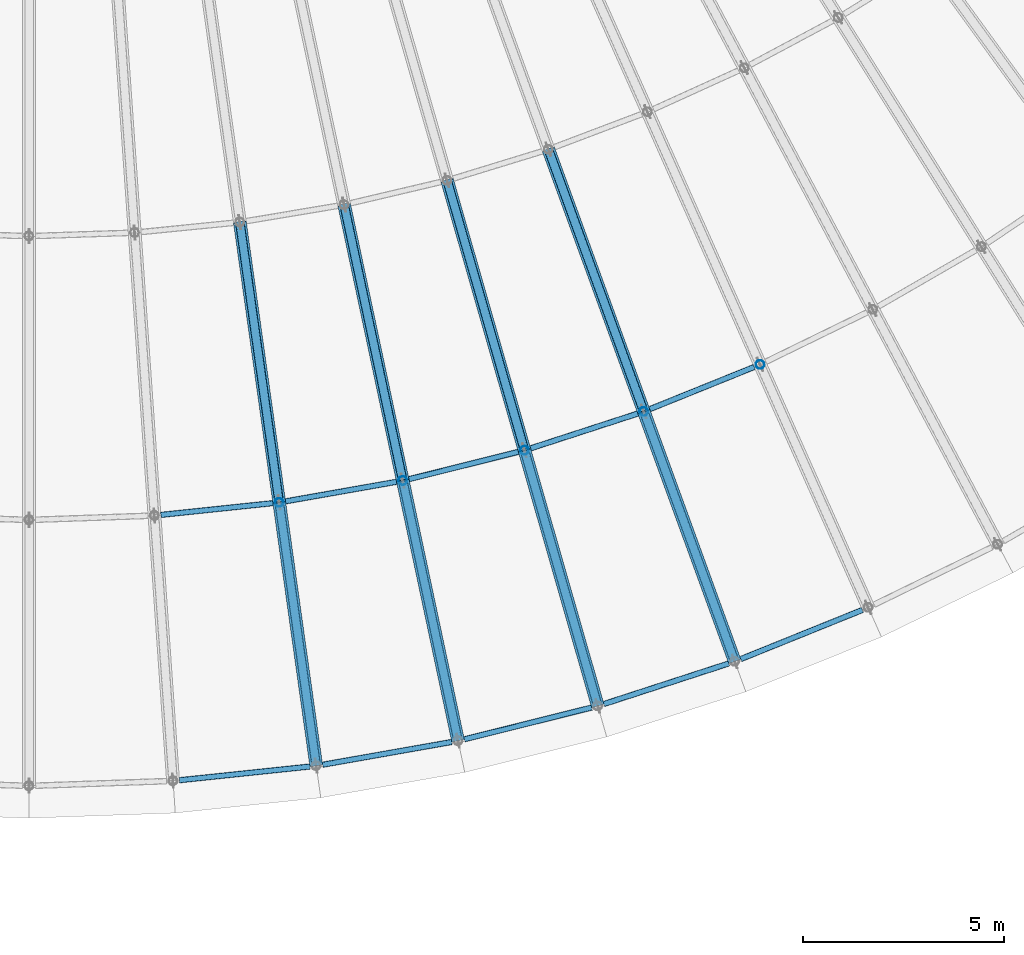
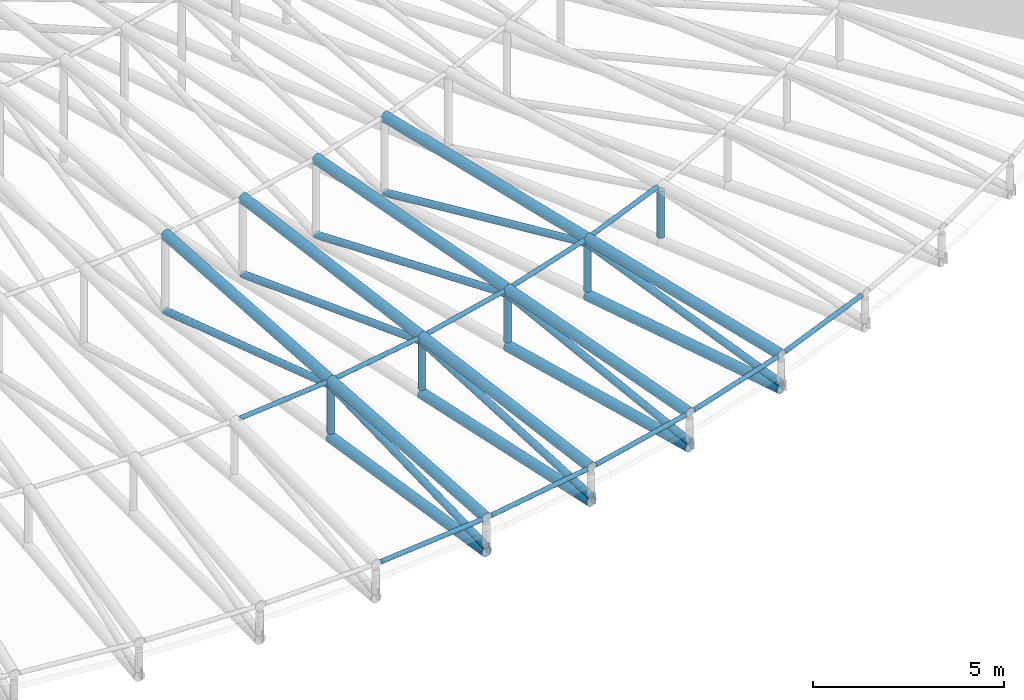
# One storey, part 28 of 163: 35 members.
"""IFC4 building model written with IfcOpenShell, lengths in metres."""

import ifcopenshell
import ifcopenshell.guid

model = None  # the IFC model being written
_history = None  # IfcOwnerHistory: only IFC2X3 demands one
_inside = {}  # id of a spatial element -> (the spatial element, [elements in it])
_under = {}  # id of a project, library or spatial element -> (it, [spatial elements below it])
_declared = {}  # id of a project -> (the project, [libraries it declares])
_typed = {}  # id of a type object -> (the type object, [elements of that type])
_made_of = {}  # id of a material, layer set ... -> (it, [elements and type objects made of it])


def new_model(schema):
    """Start an empty IFC model of exactly this schema.

    Asked for "IFC4X3", IfcOpenShell would pick the latest addendum, in which some entities
    have other attributes; the version numbers below select the first issue.
    IFC2X3 requires an IfcOwnerHistory on every rooted entity: one is made here for all.
    """
    global model, _history
    if schema == "IFC4X3":
        model = ifcopenshell.file(schema_version=(4, 3, 0, 0))
    else:
        model = ifcopenshell.file(schema=schema)
    _inside.clear()
    _under.clear()
    _declared.clear()
    _typed.clear()
    _made_of.clear()
    _history = None
    if model.schema == "IFC2X3":
        org = make("IfcOrganization", Name="unknown")
        user = make(
            "IfcPersonAndOrganization",
            ThePerson=make("IfcPerson", FamilyName="unknown"),
            TheOrganization=org,
        )
        app = make(
            "IfcApplication",
            ApplicationDeveloper=org,
            Version="unknown",
            ApplicationFullName="unknown",
            ApplicationIdentifier="unknown",
        )
        _history = make(
            "IfcOwnerHistory",
            OwningUser=user,
            OwningApplication=app,
            ChangeAction="ADDED",
            CreationDate=0,
        )
    return model


def make(cls, **values):
    """One entity of the class cls with the attributes given. An attribute that is None is left unset."""
    return model.create_entity(
        cls, **{name: value for name, value in values.items() if value is not None}
    )


def rooted(cls, **values):
    """An entity with a GlobalId (a new one), such as an element, a storey or a relation."""
    return make(cls, GlobalId=ifcopenshell.guid.new(), OwnerHistory=_history, **values)


def si_unit(unit_type, name, prefix=None):
    """IfcSIUnit, for example si_unit("LENGTHUNIT", "METRE", prefix="MILLI")."""
    return make("IfcSIUnit", UnitType=unit_type, Prefix=prefix, Name=name)


def assignment(units):
    """IfcUnitAssignment: the units of a project."""
    return None if units is None else make("IfcUnitAssignment", Units=units)


def point(xyz):
    """IfcCartesianPoint."""
    return None if xyz is None else make("IfcCartesianPoint", Coordinates=xyz)


def direction(xyz):
    """IfcDirection."""
    return None if xyz is None else make("IfcDirection", DirectionRatios=xyz)


def frame(location, z_axis=None, x_axis=None):
    """IfcAxis2Placement3D, a coordinate frame: its origin and axes. An axis left out is left unset."""
    return make(
        "IfcAxis2Placement3D",
        Location=point(location),
        Axis=direction(z_axis),
        RefDirection=direction(x_axis),
    )


def frame_2d(location, x_axis=None):
    """IfcAxis2Placement2D, a coordinate frame in the plane: its origin and x axis."""
    return make(
        "IfcAxis2Placement2D", Location=point(location), RefDirection=direction(x_axis)
    )


def origin():
    """The frame at (0, 0, 0) with its axes left unset."""
    return frame((0.0, 0.0, 0.0))


def origin_2d():
    """The frame at (0, 0) in the plane with its x axis left unset."""
    return frame_2d((0.0, 0.0))


def place(relative_to, where):
    """IfcLocalPlacement: puts the frame where relative to a parent placement (None: the world)."""
    return make(
        "IfcLocalPlacement", PlacementRelTo=relative_to, RelativePlacement=where
    )


def context(
    kind, dimensions, precision=None, world=None, true_north=None, identifier=None
):
    """IfcGeometricRepresentationContext, for example the 3D "Model" context."""
    return make(
        "IfcGeometricRepresentationContext",
        ContextIdentifier=identifier,
        ContextType=kind,
        CoordinateSpaceDimension=dimensions,
        Precision=precision,
        WorldCoordinateSystem=world,
        TrueNorth=true_north,
    )


def subcontext(parent, identifier, kind, view, scale=None):
    """IfcGeometricRepresentationSubContext, for example "Body" below "Model"."""
    return make(
        "IfcGeometricRepresentationSubContext",
        ContextIdentifier=identifier,
        ContextType=kind,
        ParentContext=parent,
        TargetScale=scale,
        TargetView=view,
    )


def project(units=None, contexts=None):
    """IfcProject with its units and contexts."""
    return rooted(
        "IfcProject",
        Name="project",
        RepresentationContexts=contexts,
        UnitsInContext=assignment(units),
    )


def spatial(cls, under=None, at=None, **own):
    """A site, building, storey or space (cls), placed at a placement, below another one or the project."""
    s = rooted(cls, ObjectPlacement=at, **own)
    if under is not None:
        _under.setdefault(under.id(), (under, []))[1].append(s)
    return s


def profile(cls, at=None, kind="AREA", **sizes):
    """A parametric profile (cls). Its sizes go by their IFC names, for example OverallWidth=200.0."""
    return make(cls, ProfileType=kind, Position=at, **sizes)


def hollow_circle(**sizes):
    """IfcCircleHollowProfileDef."""
    return profile("IfcCircleHollowProfileDef", **sizes)


def extrude(swept, where, along, depth):
    """IfcExtrudedAreaSolid: the profile swept, set in the frame where, extruded along a direction by depth."""
    return make(
        "IfcExtrudedAreaSolid",
        SweptArea=swept,
        Position=where,
        ExtrudedDirection=direction(along),
        Depth=depth,
    )


def shape(context_of_items, identifier, shape_type, items):
    """IfcShapeRepresentation: the items that make up one representation, for example the "Body"."""
    return make(
        "IfcShapeRepresentation",
        ContextOfItems=context_of_items,
        RepresentationIdentifier=identifier,
        RepresentationType=shape_type,
        Items=items,
    )


def material(Name=None, Category=None):
    """IfcMaterial."""
    return make("IfcMaterial", Name=Name, Category=Category)


def material_profile(
    of_material, cross_section, Name=None, Category=None, Priority=None
):
    """IfcMaterialProfile: a cross section and its material."""
    return make(
        "IfcMaterialProfile",
        Name=Name,
        Material=of_material,
        Profile=cross_section,
        Priority=Priority,
        Category=Category,
    )


def profile_set(profiles, Name=None, composite=None):
    """IfcMaterialProfileSet."""
    return make(
        "IfcMaterialProfileSet",
        Name=Name,
        MaterialProfiles=profiles,
        CompositeProfile=composite,
    )


def made_of(thing, what):
    """Note that an element or type object is made of a material, layer set ...; save() writes the relation."""
    if what is not None:
        _made_of.setdefault(what.id(), (what, []))[1].append(thing)
    return thing


def type_object(cls, material=None, **own):
    """A type object (cls), such as IfcWallType, which elements share."""
    return made_of(rooted(cls, **own), material)


def element(
    cls,
    number,
    at=None,
    inside=None,
    cuts=None,
    type_object=None,
    material=None,
    context=None,
    identifier="Body",
    shape_type=None,
    held_by="IfcProductDefinitionShape",
    body=None,
    shapes=None,
    **own,
):
    """One element of the class cls, such as IfcWall. Its Tag is "e" and its number.

    at: its placement. inside: the storey or other place that contains it. cuts: it is an
    opening in that element (IfcRelVoidsElement). A single representation is given by context,
    identifier, shape_type and body (its items); several are given by shapes. held_by: the class
    of the entity that holds the representations. save() writes the other relations.
    """
    e = rooted(cls, Tag="e%d" % number, ObjectPlacement=at, **own)
    if body is not None:
        shapes = [shape(context, identifier, shape_type, body)]
    if shapes is not None:
        e.Representation = make(held_by, Representations=shapes)
    if inside is not None:
        _inside.setdefault(inside.id(), (inside, []))[1].append(e)
    if cuts is not None:
        rooted(
            "IfcRelVoidsElement", RelatingBuildingElement=cuts, RelatedOpeningElement=e
        )
    if type_object is not None:
        _typed.setdefault(type_object.id(), (type_object, []))[1].append(e)
    return made_of(e, material)


def aggregate(whole, parts):
    """IfcRelAggregates: a whole, such as a stair, and the parts it consists of."""
    return rooted("IfcRelAggregates", RelatingObject=whole, RelatedObjects=parts)


def save(model, path):
    """Write the relations noted so far, then the file.

    IfcRelAggregates (storeys below a building ...), IfcRelContainedInSpatialStructure (elements
    in a storey), IfcRelDefinesByType, IfcRelAssociatesMaterial and IfcRelDeclares: one each for
    every whole, place, type object, material and project.
    """
    for whole, parts in _under.values():
        aggregate(whole, parts)
    for where, things in _inside.values():
        rooted(
            "IfcRelContainedInSpatialStructure",
            RelatedElements=things,
            RelatingStructure=where,
        )
    for kind, things in _typed.values():
        rooted("IfcRelDefinesByType", RelatedObjects=things, RelatingType=kind)
    for what, things in _made_of.values():
        rooted("IfcRelAssociatesMaterial", RelatedObjects=things, RelatingMaterial=what)
    for by, libraries in _declared.values():
        rooted("IfcRelDeclares", RelatingContext=by, RelatedDefinitions=libraries)
    model.write(path)


model = new_model("IFC4")

# Units and contexts
model_context = context("Model", 3, precision=1e-05, world=origin(), true_north=direction((0.0, 1.0)))
body_context = subcontext(model_context, "Body", "Model", "MODEL_VIEW")
ifc_project = project(units=[si_unit("LENGTHUNIT", "METRE"), si_unit("AREAUNIT", "SQUARE_METRE"), si_unit("VOLUMEUNIT", "CUBIC_METRE"), si_unit("PLANEANGLEUNIT", "RADIAN"), si_unit("MASSUNIT", "GRAM", prefix="KILO")], contexts=[model_context])

# Site, building, storey
site_placement = place(None, origin())
site = spatial("IfcSite", under=ifc_project, at=site_placement, CompositionType="ELEMENT")
building_placement = place(site_placement, origin())
building = spatial("IfcBuilding", under=site, at=building_placement, Name="Rain Tree Exposition and Congress Centre", CompositionType="ELEMENT")
storey_placement = place(building_placement, frame((0.0, 0.0, 10.5)))
storey = spatial("IfcBuildingStorey", under=building, at=storey_placement, Name="L02", CompositionType="ELEMENT", Elevation=10.5)

# Members
ifc_material_1 = material(Name="Steel S355J2H", Category="steel")
ifc_material_profile_1 = material_profile(ifc_material_1, hollow_circle(Radius=0.108154296875, WallThickness=0.008056640625, at=origin_2d()), Name="CHS 216x8")
ifc_profile_set_1 = profile_set([ifc_material_profile_1], Name="Steel S355J2H")
member_type_1 = type_object("IfcMemberType", Name="Steel brace member CHS 216x8", PredefinedType="BRACE", material=ifc_profile_set_1)
member_1_placement = place(storey_placement, frame((208.7255859375, 16.498291015625, 0.318603515625), z_axis=(-0.135738006216, 0.965897508345, 0.220493077082), x_axis=(-0.990269486717, -0.13916301117, 0.0)))
element("IfcMember", 1, at=member_1_placement, inside=storey, type_object=member_type_1, Name="TD12-1", PredefinedType="BRACE", context=body_context, shape_type="SweptSolid", body=[
    extrude(hollow_circle(Radius=0.108154296875, WallThickness=0.008056640625, at=origin_2d()), origin(), (0.0, 0.0, 1.0), 6.766357421875),
])
member_2_placement = place(storey_placement, frame((207.80712890625, 23.033935546875, 1.810546875), z_axis=(-0.136140126916, 0.968655363562, -0.207780298597), x_axis=(-0.990267435614, -0.13917760582, 0.0)))
element("IfcMember", 2, at=member_2_placement, inside=storey, type_object=member_type_1, Name="TD12-2", PredefinedType="BRACE", context=body_context, shape_type="SweptSolid", body=[
    extrude(hollow_circle(Radius=0.108154296875, WallThickness=0.008056640625, at=origin_2d()), origin(), (0.0, 0.0, 1.0), 7.180419921875),
])
member_3_placement = place(storey_placement, frame((212.2451171875, 17.118896484375, 0.318603515625), z_axis=(-0.20280762963, 0.95407261169, 0.220486999586), x_axis=(-0.978144841009, -0.207924673876, 0.0)))
element("IfcMember", 3, at=member_3_placement, inside=storey, type_object=member_type_1, Name="TD13-1", PredefinedType="BRACE", context=body_context, shape_type="SweptSolid", body=[
    extrude(hollow_circle(Radius=0.108154296875, WallThickness=0.008056640625, at=origin_2d()), origin(), (0.0, 0.0, 1.0), 6.7666015625),
])
member_4_placement = place(storey_placement, frame((210.872802734375, 23.57470703125, 1.810546875), z_axis=(-0.203339373324, 0.956660413499, -0.208456116487), x_axis=(-0.978148655968, -0.207906726269, 0.0)))
element("IfcMember", 4, at=member_4_placement, inside=storey, type_object=member_type_1, Name="TD13-2", PredefinedType="BRACE", context=body_context, shape_type="SweptSolid", body=[
    extrude(hollow_circle(Radius=0.108154296875, WallThickness=0.008056640625, at=origin_2d()), origin(), (0.0, 0.0, 1.0), 7.1572265625),
])
member_5_placement = place(storey_placement, frame((215.712646484375, 17.9833984375, 0.318603515625), z_axis=(-0.268874838211, 0.937598167707, 0.220490356456), x_axis=(-0.961255477759, -0.275659040262, 0.0)))
element("IfcMember", 5, at=member_5_placement, inside=storey, type_object=member_type_1, Name="TD14-1", PredefinedType="BRACE", context=body_context, shape_type="SweptSolid", body=[
    extrude(hollow_circle(Radius=0.108154296875, WallThickness=0.008056640625, at=origin_2d()), origin(), (0.0, 0.0, 1.0), 6.766357421875),
])
member_6_placement = place(storey_placement, frame((213.893310546875, 24.32763671875, 1.810546875), z_axis=(-0.26952123663, 0.939948887417, -0.209414402676), x_axis=(-0.961262988359, -0.275632848571, 0.0)))
element("IfcMember", 6, at=member_6_placement, inside=storey, type_object=member_type_1, Name="TD14-2", PredefinedType="BRACE", context=body_context, shape_type="SweptSolid", body=[
    extrude(hollow_circle(Radius=0.108154296875, WallThickness=0.008056640625, at=origin_2d()), origin(), (0.0, 0.0, 1.0), 7.124267578125),
])
member_7_placement = place(storey_placement, frame((219.111328125, 19.087646484375, 0.318603515625), z_axis=(-0.333593710067, 0.916570907478, 0.220483578003), x_axis=(-0.939696185245, -0.342010349897, 0.0)))
element("IfcMember", 7, at=member_7_placement, inside=storey, type_object=member_type_1, Name="TD15-1", PredefinedType="BRACE", context=body_context, shape_type="SweptSolid", body=[
    extrude(hollow_circle(Radius=0.108154296875, WallThickness=0.008056640625, at=origin_2d()), origin(), (0.0, 0.0, 1.0), 6.7666015625),
])
member_8_placement = place(storey_placement, frame((216.85400390625, 25.289794921875, 1.810546875), z_axis=(-0.334335617184, 0.918595383848, -0.210718332984), x_axis=(-0.939694514478, -0.342014940405, 0.0)))
element("IfcMember", 8, at=member_8_placement, inside=storey, type_object=member_type_1, Name="TD15-2", PredefinedType="BRACE", context=body_context, shape_type="SweptSolid", body=[
    extrude(hollow_circle(Radius=0.108154296875, WallThickness=0.008056640625, at=origin_2d()), origin(), (0.0, 0.0, 1.0), 7.080322265625),
])
ifc_material_2 = material(Name="Steel S355J2H", Category="steel")
ifc_material_profile_2 = material_profile(ifc_material_2, hollow_circle(Radius=0.1591796875, WallThickness=0.010009765625, at=origin_2d()), Name="CHS 318x10")
ifc_profile_set_2 = profile_set([ifc_material_profile_2], Name="Steel S355J2H")
member_type_2 = type_object("IfcMemberType", Name="Steel chord member CHS 318x10", PredefinedType="CHORD", material=ifc_profile_set_2)
member_9_placement = place(storey_placement, frame((208.7255859375, 16.498291015625, 0.1591796875), z_axis=(-0.13916301117, 0.990269486717, 0.0), x_axis=(-0.990269486717, -0.13916301117, 0.0)))
element("IfcMember", 9, at=member_9_placement, inside=storey, type_object=member_type_2, Name="TC12-1", PredefinedType="CHORD", context=body_context, shape_type="SweptSolid", body=[
    extrude(hollow_circle(Radius=0.1591796875, WallThickness=0.010009765625, at=origin_2d()), origin(), (0.0, 0.0, 1.0), 6.599853515625),
])
member_10_placement = place(storey_placement, frame((208.7255859375, 16.498291015625, 1.22900390625), z_axis=(-0.138290765916, 0.984062680378, 0.111786873778), x_axis=(-0.990269486717, -0.13916301117, 0.0)))
element("IfcMember", 10, at=member_10_placement, inside=storey, type_object=member_type_2, Name="TT12-1", PredefinedType="CHORD", context=body_context, shape_type="SweptSolid", body=[
    extrude(hollow_circle(Radius=0.1591796875, WallThickness=0.010009765625, at=origin_2d()), origin(), (0.0, 0.0, 1.0), 6.6416015625),
])
member_11_placement = place(storey_placement, frame((207.80712890625, 23.033935546875, 1.971435546875), z_axis=(-0.138304884796, 0.984057907828, 0.111811416604), x_axis=(-0.990267435614, -0.13917760582, 0.0)))
element("IfcMember", 11, at=member_11_placement, inside=storey, type_object=member_type_2, Name="TT12-2", PredefinedType="CHORD", context=body_context, shape_type="SweptSolid", body=[
    extrude(hollow_circle(Radius=0.1591796875, WallThickness=0.010009765625, at=origin_2d()), origin(), (0.0, 0.0, 1.0), 7.068115234375),
])
member_12_placement = place(storey_placement, frame((212.2451171875, 17.118896484375, 0.1591796875), z_axis=(-0.207924673876, 0.978144841009, 0.0), x_axis=(-0.978144841009, -0.207924673876, 0.0)))
element("IfcMember", 12, at=member_12_placement, inside=storey, type_object=member_type_2, Name="TC13-1", PredefinedType="CHORD", context=body_context, shape_type="SweptSolid", body=[
    extrude(hollow_circle(Radius=0.1591796875, WallThickness=0.010009765625, at=origin_2d()), origin(), (0.0, 0.0, 1.0), 6.60009765625),
])
member_13_placement = place(storey_placement, frame((212.2451171875, 17.118896484375, 1.22900390625), z_axis=(-0.206621519407, 0.972014381369, 0.111783675594), x_axis=(-0.978144841009, -0.207924673876, 0.0)))
element("IfcMember", 13, at=member_13_placement, inside=storey, type_object=member_type_2, Name="TT13-1", PredefinedType="CHORD", context=body_context, shape_type="SweptSolid", body=[
    extrude(hollow_circle(Radius=0.1591796875, WallThickness=0.010009765625, at=origin_2d()), origin(), (0.0, 0.0, 1.0), 6.6416015625),
])
member_14_placement = place(storey_placement, frame((210.872802734375, 23.57470703125, 1.971435546875), z_axis=(-0.206603060463, 0.972015237491, 0.111810346092), x_axis=(-0.978148655968, -0.207906726269, 0.0)))
element("IfcMember", 14, at=member_14_placement, inside=storey, type_object=member_type_2, Name="TT13-2", PredefinedType="CHORD", context=body_context, shape_type="SweptSolid", body=[
    extrude(hollow_circle(Radius=0.1591796875, WallThickness=0.010009765625, at=origin_2d()), origin(), (0.0, 0.0, 1.0), 7.0439453125),
])
member_15_placement = place(storey_placement, frame((215.712646484375, 17.9833984375, 0.1591796875), z_axis=(-0.275659040262, 0.961255477759, 0.0), x_axis=(-0.961255477759, -0.275659040262, 0.0)))
element("IfcMember", 15, at=member_15_placement, inside=storey, type_object=member_type_2, Name="TC14-1", PredefinedType="CHORD", context=body_context, shape_type="SweptSolid", body=[
    extrude(hollow_circle(Radius=0.1591796875, WallThickness=0.010009765625, at=origin_2d()), origin(), (0.0, 0.0, 1.0), 6.599853515625),
])
member_16_placement = place(storey_placement, frame((215.712646484375, 17.9833984375, 1.22900390625), z_axis=(-0.273931310248, 0.955230680099, 0.111785442091), x_axis=(-0.961255477759, -0.275659040262, 0.0)))
element("IfcMember", 16, at=member_16_placement, inside=storey, type_object=member_type_2, Name="TT14-1", PredefinedType="CHORD", context=body_context, shape_type="SweptSolid", body=[
    extrude(hollow_circle(Radius=0.1591796875, WallThickness=0.010009765625, at=origin_2d()), origin(), (0.0, 0.0, 1.0), 6.6416015625),
])
member_17_placement = place(storey_placement, frame((213.893310546875, 24.32763671875, 1.971435546875), z_axis=(-0.273905113539, 0.955237553624, 0.111790898215), x_axis=(-0.961262988359, -0.275632848571, 0.0)))
element("IfcMember", 17, at=member_17_placement, inside=storey, type_object=member_type_2, Name="TT14-2", PredefinedType="CHORD", context=body_context, shape_type="SweptSolid", body=[
    extrude(hollow_circle(Radius=0.1591796875, WallThickness=0.010009765625, at=origin_2d()), origin(), (0.0, 0.0, 1.0), 7.01025390625),
])
member_18_placement = place(storey_placement, frame((219.111328125, 19.087646484375, 0.1591796875), z_axis=(-0.342010349897, 0.939696185245, 0.0), x_axis=(-0.939696185245, -0.342010349897, 0.0)))
element("IfcMember", 18, at=member_18_placement, inside=storey, type_object=member_type_2, Name="TC15-1", PredefinedType="CHORD", context=body_context, shape_type="SweptSolid", body=[
    extrude(hollow_circle(Radius=0.1591796875, WallThickness=0.010009765625, at=origin_2d()), origin(), (0.0, 0.0, 1.0), 6.60009765625),
])
member_19_placement = place(storey_placement, frame((219.111328125, 19.087646484375, 1.22900390625), z_axis=(-0.33986689138, 0.933806890398, 0.111781875047), x_axis=(-0.939696185245, -0.342010349897, 0.0)))
element("IfcMember", 19, at=member_19_placement, inside=storey, type_object=member_type_2, Name="TT15-1", PredefinedType="CHORD", context=body_context, shape_type="SweptSolid", body=[
    extrude(hollow_circle(Radius=0.1591796875, WallThickness=0.010009765625, at=origin_2d()), origin(), (0.0, 0.0, 1.0), 6.641845703125),
])
member_20_placement = place(storey_placement, frame((216.85400390625, 25.289794921875, 1.971435546875), z_axis=(-0.339870070245, 0.933801430624, 0.111817813952), x_axis=(-0.939694514478, -0.342014940405, 0.0)))
element("IfcMember", 20, at=member_20_placement, inside=storey, type_object=member_type_2, Name="TT15-2", PredefinedType="CHORD", context=body_context, shape_type="SweptSolid", body=[
    extrude(hollow_circle(Radius=0.1591796875, WallThickness=0.010009765625, at=origin_2d()), origin(), (0.0, 0.0, 1.0), 6.965087890625),
])
ifc_material_3 = material(Name="Steel S355J2H", Category="steel")
ifc_material_profile_3 = material_profile(ifc_material_3, hollow_circle(Radius=0.108154296875, WallThickness=0.008056640625, at=origin_2d()), Name="CHS 216x8")
ifc_profile_set_3 = profile_set([ifc_material_profile_3], Name="Steel S355J2H")
member_type_3 = type_object("IfcMemberType", Name="Steel post member CHS 216x8", PredefinedType="POST", material=ifc_profile_set_3)
for number, where, z_axis, x_axis, name in (
    (21, (207.80712890625, 23.033935546875, 0.318603515625), (0.0, 0.0, 1.0), (1.0, 0.0, 0.0), "TP12-1"),
    (22, (210.872802734375, 23.57470703125, 0.318603515625), (0.0, 0.0, 1.0), (1.0, 0.0, 0.0), "TP13-1"),
    (23, (213.893310546875, 24.32763671875, 0.318603515625), (0.0, 0.0, 1.0), (1.0, 0.0, 0.0), "TP14-1"),
    (24, (216.85400390625, 25.289794921875, 0.318603515625), (0.0, 0.0, 1.0), (1.0, 0.0, 0.0), "TP15-1"),
    (25, (219.740478515625, 26.455810546875, 0.318603515625), (0.0, 0.0, 1.0), (1.0, 0.0, 0.0), "TP16-1"),
):
    element("IfcMember", number, at=place(storey_placement, frame(where, z_axis=z_axis, x_axis=x_axis)), inside=storey, type_object=member_type_3, Name=name, PredefinedType="POST", context=body_context, shape_type="SweptSolid", body=[
        extrude(hollow_circle(Radius=0.108154296875, WallThickness=0.008056640625, at=origin_2d()), origin(), (0.0, 0.0, 1.0), 1.491943359375),
    ])
ifc_material_4 = material(Name="Steel S355J2H", Category="steel")
ifc_material_profile_4 = material_profile(ifc_material_4, hollow_circle(Radius=0.06982421875, WallThickness=0.0048828125, at=origin_2d()), Name="CHS 140x5")
ifc_profile_set_4 = profile_set([ifc_material_profile_4], Name="Steel S355J2H")
member_type_4 = type_object("IfcMemberType", Name="Steel purlin member CHS 140x5", PredefinedType="PURLIN", material=ifc_profile_set_4)
member_21_placement = place(storey_placement, frame((205.329833984375, 16.141357421875, 1.22900390625), z_axis=(0.994520236697, 0.104544243266, 0.0), x_axis=(-0.104544243266, 0.994520236697, 0.0)))
element("IfcMember", 26, at=member_21_placement, inside=storey, type_object=member_type_4, Name="PU11-0", PredefinedType="PURLIN", context=body_context, shape_type="SweptSolid", body=[
    extrude(hollow_circle(Radius=0.06982421875, WallThickness=0.0048828125, at=origin_2d()), origin(), (0.0, 0.0, 1.0), 3.25537109375),
])
member_22_placement = place(storey_placement, frame((204.869384765625, 22.725341796875, 1.971435546875), z_axis=(0.994526495358, 0.104484688022, 0.0), x_axis=(-0.104484688022, 0.994526495358, 0.0)))
element("IfcMember", 27, at=member_22_placement, inside=storey, type_object=member_type_4, Name="PU11-1", PredefinedType="PURLIN", context=body_context, shape_type="SweptSolid", body=[
    extrude(hollow_circle(Radius=0.06982421875, WallThickness=0.0048828125, at=origin_2d()), origin(), (0.0, 0.0, 1.0), 2.794677734375),
])
member_23_placement = place(storey_placement, frame((208.882568359375, 16.52587890625, 1.22900390625), z_axis=(0.984809975215, 0.173635574457, 0.0), x_axis=(-0.173635574457, 0.984809975215, 0.0)))
element("IfcMember", 28, at=member_23_placement, inside=storey, type_object=member_type_4, Name="PU12-0", PredefinedType="PURLIN", context=body_context, shape_type="SweptSolid", body=[
    extrude(hollow_circle(Radius=0.06982421875, WallThickness=0.0048828125, at=origin_2d()), origin(), (0.0, 0.0, 1.0), 3.255126953125),
])
member_24_placement = place(storey_placement, frame((207.964111328125, 23.061767578125, 1.971435546875), z_axis=(0.984816084797, 0.173600919135, 0.0), x_axis=(-0.173600919135, 0.984816084797, 0.0)))
element("IfcMember", 29, at=member_24_placement, inside=storey, type_object=member_type_4, Name="PU12-1", PredefinedType="PURLIN", context=body_context, shape_type="SweptSolid", body=[
    extrude(hollow_circle(Radius=0.06982421875, WallThickness=0.0048828125, at=origin_2d()), origin(), (0.0, 0.0, 1.0), 2.79443359375),
])
member_25_placement = place(storey_placement, frame((212.399658203125, 17.1572265625, 1.22900390625), z_axis=(0.970287915528, 0.241953220646, 0.0), x_axis=(-0.241953220646, 0.970287915528, 0.0)))
element("IfcMember", 30, at=member_25_placement, inside=storey, type_object=member_type_4, Name="PU13-0", PredefinedType="PURLIN", context=body_context, shape_type="SweptSolid", body=[
    extrude(hollow_circle(Radius=0.06982421875, WallThickness=0.0048828125, at=origin_2d()), origin(), (0.0, 0.0, 1.0), 3.255126953125),
])
member_26_placement = place(storey_placement, frame((211.027587890625, 23.613037109375, 1.971435546875), z_axis=(0.970270852875, 0.242021635521, 0.0), x_axis=(-0.242021635521, 0.970270852875, 0.0)))
element("IfcMember", 31, at=member_26_placement, inside=storey, type_object=member_type_4, Name="PU13-1", PredefinedType="PURLIN", context=body_context, shape_type="SweptSolid", body=[
    extrude(hollow_circle(Radius=0.06982421875, WallThickness=0.0048828125, at=origin_2d()), origin(), (0.0, 0.0, 1.0), 2.794189453125),
])
member_27_placement = place(storey_placement, frame((215.864013671875, 18.03271484375, 1.22900390625), z_axis=(0.951063275543, 0.308996190776, 0.0), x_axis=(-0.308996190776, 0.951063275543, 0.0)))
element("IfcMember", 32, at=member_27_placement, inside=storey, type_object=member_type_4, Name="PU14-0", PredefinedType="PURLIN", context=body_context, shape_type="SweptSolid", body=[
    extrude(hollow_circle(Radius=0.06982421875, WallThickness=0.0048828125, at=origin_2d()), origin(), (0.0, 0.0, 1.0), 3.255126953125),
])
member_28_placement = place(storey_placement, frame((214.044921875, 24.376953125, 1.971435546875), z_axis=(0.951058462857, 0.30901100341, 0.0), x_axis=(-0.30901100341, 0.951058462857, 0.0)))
element("IfcMember", 33, at=member_28_placement, inside=storey, type_object=member_type_4, Name="PU14-1", PredefinedType="PURLIN", context=body_context, shape_type="SweptSolid", body=[
    extrude(hollow_circle(Radius=0.06982421875, WallThickness=0.0048828125, at=origin_2d()), origin(), (0.0, 0.0, 1.0), 2.79443359375),
])
member_29_placement = place(storey_placement, frame((219.259033203125, 19.1474609375, 1.22900390625), z_axis=(0.927198760347, 0.374569698202, 0.0), x_axis=(-0.374569698202, 0.927198760347, 0.0)))
element("IfcMember", 34, at=member_29_placement, inside=storey, type_object=member_type_4, Name="PU15-0", PredefinedType="PURLIN", context=body_context, shape_type="SweptSolid", body=[
    extrude(hollow_circle(Radius=0.06982421875, WallThickness=0.0048828125, at=origin_2d()), origin(), (0.0, 0.0, 1.0), 3.255126953125),
])
member_30_placement = place(storey_placement, frame((217.001708984375, 25.349365234375, 1.971435546875), z_axis=(0.927181740654, 0.37461182549, 0.0), x_axis=(-0.37461182549, 0.927181740654, 0.0)))
element("IfcMember", 35, at=member_30_placement, inside=storey, type_object=member_type_4, Name="PU15-1", PredefinedType="PURLIN", context=body_context, shape_type="SweptSolid", body=[
    extrude(hollow_circle(Radius=0.06982421875, WallThickness=0.0048828125, at=origin_2d()), origin(), (0.0, 0.0, 1.0), 2.794677734375),
])

save(model, "model.ifc")
